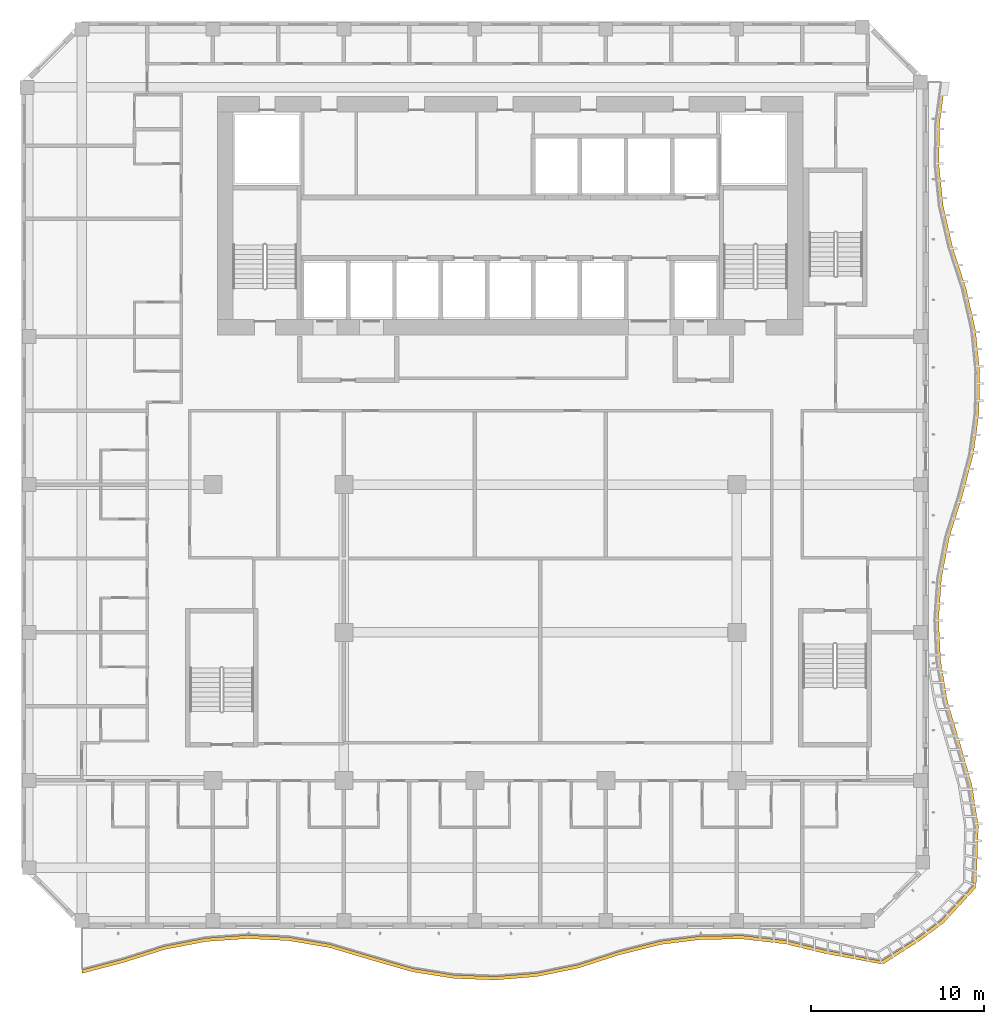
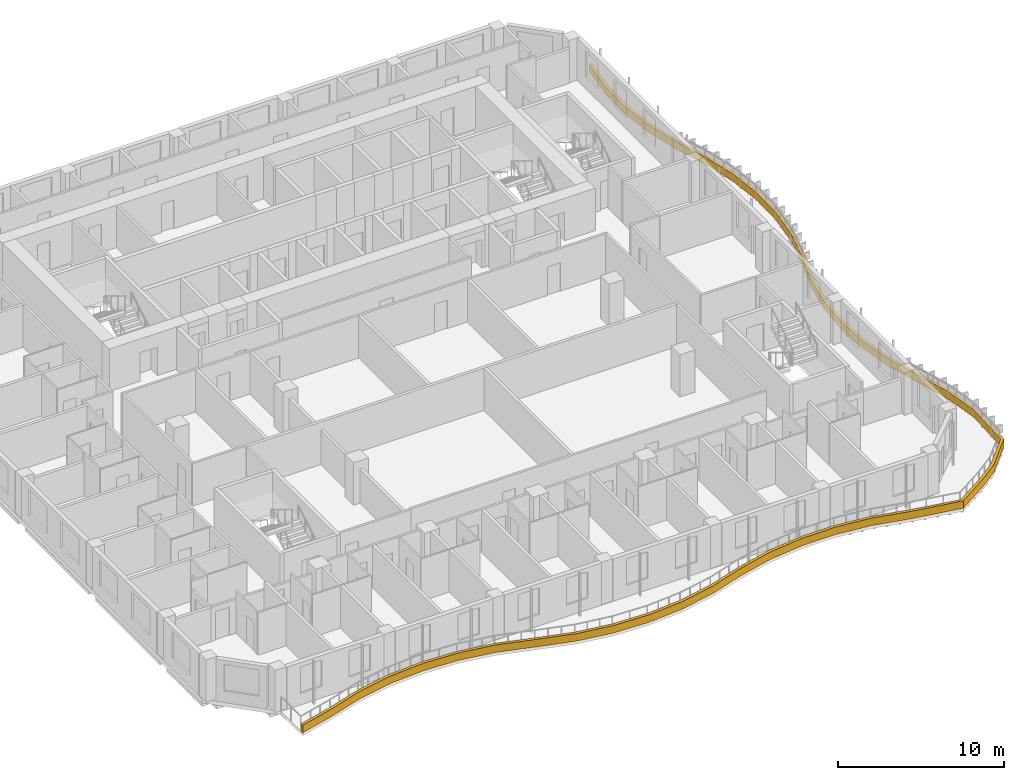
# One storey, part 17 of 24: 1 shading device.
"""IFC4 building model written with IfcOpenShell, lengths in metres."""

from ifc_helpers import new_model, si_unit, direction, frame, origin, place, context, subcontext, project, spatial, polyline, outline, extrude, source, transform, mapped, material, layer, layer_set, type_object, element, save


model = new_model("IFC4")

# Units and contexts
model_context = context("Model", 3, precision=1e-05, world=origin(), true_north=direction((0.0, 1.0)))
body_context = subcontext(model_context, "Body", "Model", "MODEL_VIEW")
ifc_project = project(units=[si_unit("LENGTHUNIT", "METRE"), si_unit("AREAUNIT", "SQUARE_METRE"), si_unit("VOLUMEUNIT", "CUBIC_METRE"), si_unit("PLANEANGLEUNIT", "RADIAN"), si_unit("MASSUNIT", "GRAM", prefix="KILO")], contexts=[model_context])

# Site, building, storey
site_placement = place(None, origin())
site = spatial("IfcSite", under=ifc_project, at=site_placement, CompositionType="ELEMENT")
building_placement = place(site_placement, origin())
building = spatial("IfcBuilding", under=site, at=building_placement, Name="Kilnfold Tower and Market Hall", CompositionType="ELEMENT")
storey_placement = place(building_placement, frame((0.0, 0.0, 175.300048828125)))
storey = spatial("IfcBuildingStorey", under=building, at=storey_placement, Name="L41", CompositionType="ELEMENT", Elevation=175.300048828125)

# Shading device
ifc_material = material(Name="Precast concrete C50/60", Category="concrete")
ifc_layer = layer(ifc_material, 0.550048828125)
ifc_layer_set = layer_set([ifc_layer], Name="Precast concrete C50/60")
shading_device_type = type_object("IfcShadingDeviceType", Name="BALCONY UPSTAND 550", PredefinedType="USERDEFINED", material=ifc_layer_set)
shared_shape = source(origin(), body_context, "Body", "SweptSolid", [
    extrude(outline(polyline([(-23.75, -28.8662109375), (-21.355224609375, -28.2373046875), (-18.96044921875, -27.47998046875), (-16.56591796875, -27.01904296875), (-14.171142578125, -26.85107421875), (-11.7763671875, -26.968505859375), (-9.381591796875, -27.376220703125), (-6.98681640625, -28.092529296875), (-4.592041015625, -28.777587890625), (-2.197509765625, -29.156005859375), (0.197509765625, -29.2451171875), (2.592041015625, -29.048583984375), (4.98681640625, -28.557861328125), (7.381591796875, -27.785888671875), (9.7763671875, -27.188232421875), (12.171142578125, -26.890869140625), (14.56591796875, -26.880615234375), (16.96044921875, -27.156982421875), (19.355224609375, -27.732177734375), (22.614990234375, -28.33837890625), (24.78759765625, -26.954345703125), (26.126220703125, -25.959716796875), (28.0166015625, -23.89599609375), (28.1572265625, -20.355224609375), (27.780517578125, -17.96044921875), (27.09716796875, -15.56591796875), (26.37939453125, -13.171142578125), (25.969970703125, -10.7763671875), (25.85107421875, -8.381591796875), (26.017333984375, -5.98681640625), (26.4765625, -3.592041015625), (27.23291015625, -1.197509765625), (27.863525390625, 1.197509765625), (28.191650390625, 3.592041015625), (28.231689453125, 5.98681640625), (27.985595703125, 8.381591796875), (27.442626953125, 10.7763671875), (26.6611328125, 13.171142578125), (26.116455078125, 15.56591796875), (25.868896484375, 17.96044921875), (25.907470703125, 20.355224609375), (26.23388671875, 22.75), (26.03369140625, 22.75), (25.70751953125, 20.355224609375), (25.6689453125, 17.96044921875), (25.91650390625, 15.56591796875), (26.461181640625, 13.171142578125), (27.24267578125, 10.7763671875), (27.78564453125, 8.381591796875), (28.031494140625, 5.98681640625), (27.99169921875, 3.592041015625), (27.66357421875, 1.197509765625), (27.032958984375, -1.197509765625), (26.276611328125, -3.592041015625), (25.8173828125, -5.98681640625), (25.65087890625, -8.381591796875), (25.77001953125, -10.7763671875), (26.17919921875, -13.171142578125), (26.897216796875, -15.56591796875), (27.580322265625, -17.96044921875), (27.957275390625, -20.355224609375), (27.831787109375, -23.819580078125), (25.98486328125, -25.818115234375), (24.646240234375, -26.81298828125), (22.53857421875, -28.153564453125), (19.355224609375, -27.5322265625), (16.96044921875, -26.956787109375), (14.56591796875, -26.6806640625), (12.171142578125, -26.69091796875), (9.7763671875, -26.98828125), (7.381591796875, -27.5859375), (4.98681640625, -28.35791015625), (2.592041015625, -28.848388671875), (0.197509765625, -29.044921875), (-2.197509765625, -28.9560546875), (-4.592041015625, -28.57763671875), (-6.98681640625, -27.892578125), (-9.381591796875, -27.17626953125), (-11.7763671875, -26.7685546875), (-14.171142578125, -26.651123046875), (-16.56591796875, -26.819091796875), (-18.96044921875, -27.27978515625), (-21.355224609375, -28.037353515625), (-23.75, -28.666259765625), (-23.75, -28.8662109375)])), origin(), (0.0, 0.0, 1.0), 0.550048828125),
])
shading_device_placement = place(storey_placement, origin())
element("IfcShadingDevice", 1, at=shading_device_placement, inside=storey, type_object=shading_device_type, Name="Balcony fascia L41", ObjectType="FASCIA", PredefinedType="USERDEFINED", context=body_context, shape_type="MappedRepresentation", body=[
    mapped(shared_shape, transform((0.0, 0.0, 0.0))),
])

save(model, "model.ifc")
